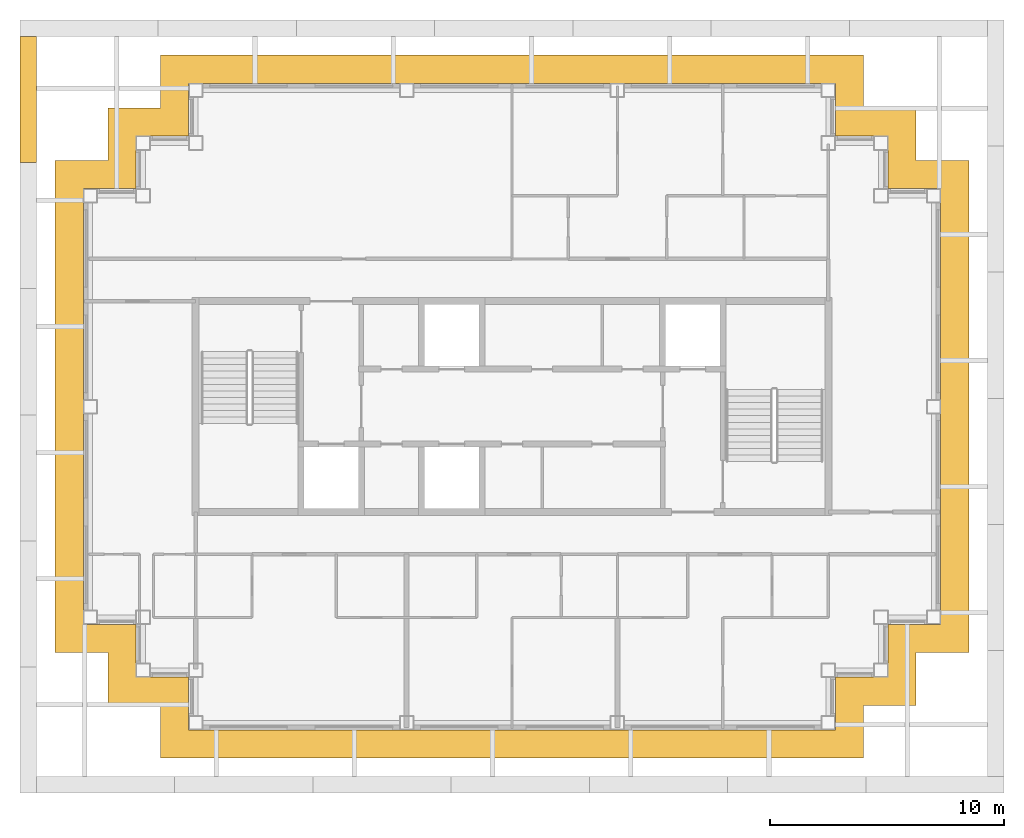
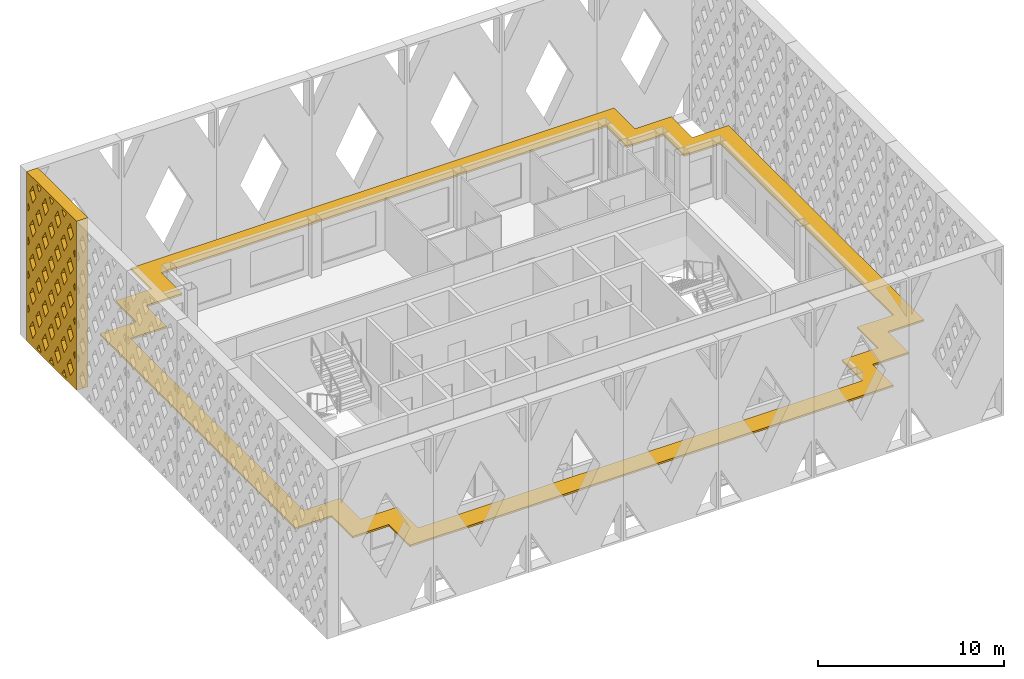
# One storey, part 11 of 13: 2 shading devices.
"""IFC4 building model written with IfcOpenShell, lengths in metres."""

from ifc_helpers import new_model, si_unit, direction, frame, origin, place, context, subcontext, project, spatial, polyline, outline, extrude, material, layer, layer_set, type_object, element, save


model = new_model("IFC4")

# Units and contexts
model_context = context("Model", 3, precision=1e-05, world=origin(), true_north=direction((0.0, 1.0)))
body_context = subcontext(model_context, "Body", "Model", "MODEL_VIEW")
ifc_project = project(units=[si_unit("LENGTHUNIT", "METRE"), si_unit("AREAUNIT", "SQUARE_METRE"), si_unit("VOLUMEUNIT", "CUBIC_METRE"), si_unit("PLANEANGLEUNIT", "RADIAN"), si_unit("MASSUNIT", "GRAM", prefix="KILO")], contexts=[model_context])

# Site, building, storey
site_placement = place(None, origin())
site = spatial("IfcSite", under=ifc_project, at=site_placement, CompositionType="ELEMENT")
building_placement = place(site_placement, origin())
building = spatial("IfcBuilding", under=site, at=building_placement, Name="Caravel Reach Hotel and Residences", CompositionType="ELEMENT")
storey_placement = place(building_placement, frame((0.0, 0.0, 294.5)))
storey = spatial("IfcBuildingStorey", under=building, at=storey_placement, Name="L75", CompositionType="ELEMENT", Elevation=294.5)

# Shading devices
ifc_material_1 = material(Name="Black powder-coated aluminium", Category="aluminium")
shading_device_type_1 = type_object("IfcShadingDeviceType", Name="Diamond lattice screen panel 5383 x 11100", PredefinedType="USERDEFINED", material=ifc_material_1)
shading_device_1_placement = place(storey_placement, frame((11.199951171875, 42.800048828125, 0.0), z_axis=(-1.0, 0.0, 0.0), x_axis=(0.0, -1.0, 0.0)))
element("IfcShadingDevice", 1, at=shading_device_1_placement, inside=storey, type_object=shading_device_type_1, Name="Lattice screen L75-L77 3.1", ObjectType="SCREEN", PredefinedType="USERDEFINED", context=body_context, shape_type="SweptSolid", body=[
    extrude(outline(polyline([(0.0, 0.0), (5.38330078125, 0.0), (5.38330078125, 11.10009765625), (0.0, 11.10009765625), (0.0, 0.0)]), holes=[polyline([(0.338134765625, 2.219970703125), (0.14990234375, 2.530517578125), (0.14990234375, 1.90966796875), (0.338134765625, 2.219970703125)]), polyline([(0.338134765625, 4.43994140625), (0.14990234375, 4.75048828125), (0.14990234375, 4.129638671875), (0.338134765625, 4.43994140625)]), polyline([(0.338134765625, 6.659912109375), (0.14990234375, 6.970458984375), (0.14990234375, 6.349609375), (0.338134765625, 6.659912109375)]), polyline([(0.338134765625, 8.8798828125), (0.14990234375, 9.1904296875), (0.14990234375, 8.569580078125), (0.338134765625, 8.8798828125)]), polyline([(0.6728515625, 1.667724609375), (0.334716796875, 1.110107421875), (0.6728515625, 0.55224609375), (1.010986328125, 1.110107421875), (0.6728515625, 1.667724609375)]), polyline([(0.6728515625, 3.887939453125), (0.334716796875, 3.330078125), (0.6728515625, 2.772216796875), (1.010986328125, 3.330078125), (0.6728515625, 3.887939453125)]), polyline([(0.6728515625, 6.10791015625), (0.334716796875, 5.550048828125), (0.6728515625, 4.9921875), (1.010986328125, 5.550048828125), (0.6728515625, 6.10791015625)]), polyline([(0.6728515625, 8.327880859375), (0.334716796875, 7.77001953125), (0.6728515625, 7.212158203125), (1.010986328125, 7.77001953125), (0.6728515625, 8.327880859375)]), polyline([(0.6728515625, 10.5478515625), (0.334716796875, 9.989990234375), (0.6728515625, 9.43212890625), (1.010986328125, 9.989990234375), (0.6728515625, 10.5478515625)]), polyline([(1.345947265625, 0.557861328125), (1.0986328125, 0.14990234375), (1.593017578125, 0.14990234375), (1.345947265625, 0.557861328125)]), polyline([(1.345947265625, 2.77783203125), (1.007568359375, 2.219970703125), (1.345947265625, 1.662109375), (1.68408203125, 2.219970703125), (1.345947265625, 2.77783203125)]), polyline([(1.345947265625, 4.997802734375), (1.007568359375, 4.43994140625), (1.345947265625, 3.882080078125), (1.68408203125, 4.43994140625), (1.345947265625, 4.997802734375)]), polyline([(1.345947265625, 7.2177734375), (1.007568359375, 6.659912109375), (1.345947265625, 6.10205078125), (1.68408203125, 6.659912109375), (1.345947265625, 7.2177734375)]), polyline([(1.345947265625, 9.437744140625), (1.007568359375, 8.8798828125), (1.345947265625, 8.322265625), (1.68408203125, 8.8798828125), (1.345947265625, 9.437744140625)]), polyline([(1.345947265625, 10.542236328125), (1.593017578125, 10.949951171875), (1.0986328125, 10.949951171875), (1.345947265625, 10.542236328125)]), polyline([(2.018798828125, 1.667724609375), (1.6806640625, 1.110107421875), (2.018798828125, 0.55224609375), (2.35693359375, 1.110107421875), (2.018798828125, 1.667724609375)]), polyline([(2.018798828125, 3.887939453125), (1.6806640625, 3.330078125), (2.018798828125, 2.772216796875), (2.35693359375, 3.330078125), (2.018798828125, 3.887939453125)]), polyline([(2.018798828125, 6.10791015625), (1.6806640625, 5.550048828125), (2.018798828125, 4.9921875), (2.35693359375, 5.550048828125), (2.018798828125, 6.10791015625)]), polyline([(2.018798828125, 8.327880859375), (1.6806640625, 7.77001953125), (2.018798828125, 7.212158203125), (2.35693359375, 7.77001953125), (2.018798828125, 8.327880859375)]), polyline([(2.018798828125, 10.5478515625), (1.6806640625, 9.989990234375), (2.018798828125, 9.43212890625), (2.35693359375, 9.989990234375), (2.018798828125, 10.5478515625)]), polyline([(2.691650390625, 0.557861328125), (2.4443359375, 0.14990234375), (2.93896484375, 0.14990234375), (2.691650390625, 0.557861328125)]), polyline([(2.691650390625, 2.77783203125), (2.353515625, 2.219970703125), (2.691650390625, 1.662109375), (3.02978515625, 2.219970703125), (2.691650390625, 2.77783203125)]), polyline([(2.691650390625, 4.997802734375), (2.353515625, 4.43994140625), (2.691650390625, 3.882080078125), (3.02978515625, 4.43994140625), (2.691650390625, 4.997802734375)]), polyline([(2.691650390625, 7.2177734375), (2.353515625, 6.659912109375), (2.691650390625, 6.10205078125), (3.02978515625, 6.659912109375), (2.691650390625, 7.2177734375)]), polyline([(2.691650390625, 9.437744140625), (2.353515625, 8.8798828125), (2.691650390625, 8.322265625), (3.02978515625, 8.8798828125), (2.691650390625, 9.437744140625)]), polyline([(2.691650390625, 10.542236328125), (2.93896484375, 10.949951171875), (2.4443359375, 10.949951171875), (2.691650390625, 10.542236328125)]), polyline([(3.364501953125, 1.667724609375), (3.0263671875, 1.110107421875), (3.364501953125, 0.55224609375), (3.702880859375, 1.110107421875), (3.364501953125, 1.667724609375)]), polyline([(3.364501953125, 3.887939453125), (3.0263671875, 3.330078125), (3.364501953125, 2.772216796875), (3.702880859375, 3.330078125), (3.364501953125, 3.887939453125)]), polyline([(3.364501953125, 6.10791015625), (3.0263671875, 5.550048828125), (3.364501953125, 4.9921875), (3.702880859375, 5.550048828125), (3.364501953125, 6.10791015625)]), polyline([(3.364501953125, 8.327880859375), (3.0263671875, 7.77001953125), (3.364501953125, 7.212158203125), (3.702880859375, 7.77001953125), (3.364501953125, 8.327880859375)]), polyline([(3.364501953125, 10.5478515625), (3.0263671875, 9.989990234375), (3.364501953125, 9.43212890625), (3.702880859375, 9.989990234375), (3.364501953125, 10.5478515625)]), polyline([(4.03759765625, 0.557861328125), (3.790283203125, 0.14990234375), (4.28466796875, 0.14990234375), (4.03759765625, 0.557861328125)]), polyline([(4.03759765625, 2.77783203125), (3.69921875, 2.219970703125), (4.03759765625, 1.662109375), (4.375732421875, 2.219970703125), (4.03759765625, 2.77783203125)]), polyline([(4.03759765625, 4.997802734375), (3.69921875, 4.43994140625), (4.03759765625, 3.882080078125), (4.375732421875, 4.43994140625), (4.03759765625, 4.997802734375)]), polyline([(4.03759765625, 7.2177734375), (3.69921875, 6.659912109375), (4.03759765625, 6.10205078125), (4.375732421875, 6.659912109375), (4.03759765625, 7.2177734375)]), polyline([(4.03759765625, 9.437744140625), (3.69921875, 8.8798828125), (4.03759765625, 8.322265625), (4.375732421875, 8.8798828125), (4.03759765625, 9.437744140625)]), polyline([(4.03759765625, 10.542236328125), (4.28466796875, 10.949951171875), (3.790283203125, 10.949951171875), (4.03759765625, 10.542236328125)]), polyline([(4.71044921875, 1.667724609375), (4.372314453125, 1.110107421875), (4.71044921875, 0.55224609375), (5.048583984375, 1.110107421875), (4.71044921875, 1.667724609375)]), polyline([(4.71044921875, 3.887939453125), (4.372314453125, 3.330078125), (4.71044921875, 2.772216796875), (5.048583984375, 3.330078125), (4.71044921875, 3.887939453125)]), polyline([(4.71044921875, 6.10791015625), (4.372314453125, 5.550048828125), (4.71044921875, 4.9921875), (5.048583984375, 5.550048828125), (4.71044921875, 6.10791015625)]), polyline([(4.71044921875, 8.327880859375), (4.372314453125, 7.77001953125), (4.71044921875, 7.212158203125), (5.048583984375, 7.77001953125), (4.71044921875, 8.327880859375)]), polyline([(4.71044921875, 10.5478515625), (4.372314453125, 9.989990234375), (4.71044921875, 9.43212890625), (5.048583984375, 9.989990234375), (4.71044921875, 10.5478515625)]), polyline([(5.045166015625, 2.219970703125), (5.2333984375, 1.90966796875), (5.2333984375, 2.530517578125), (5.045166015625, 2.219970703125)]), polyline([(5.045166015625, 4.43994140625), (5.2333984375, 4.129638671875), (5.2333984375, 4.75048828125), (5.045166015625, 4.43994140625)]), polyline([(5.045166015625, 6.659912109375), (5.2333984375, 6.349609375), (5.2333984375, 6.970458984375), (5.045166015625, 6.659912109375)]), polyline([(5.045166015625, 8.8798828125), (5.2333984375, 8.569580078125), (5.2333984375, 9.1904296875), (5.045166015625, 8.8798828125)])]), origin(), (0.0, 0.0, 1.0), 0.699951171875),
])
ifc_material_2 = material(Name="Black powder-coated aluminium", Category="aluminium")
ifc_layer = layer(ifc_material_2, 0.1201171875)
ifc_layer_set = layer_set([ifc_layer], Name="SS1 Sunshade band 1200")
shading_device_type_2 = type_object("IfcShadingDeviceType", Name="SS1 Sunshade band 1200", PredefinedType="USERDEFINED", material=ifc_layer_set)
shading_device_2_placement = place(storey_placement, frame((0.0, 0.0, 3.0400390625)))
element("IfcShadingDevice", 2, at=shading_device_2_placement, inside=storey, type_object=shading_device_type_2, Name="Sunshade L75 1", ObjectType="SUNSHADE", PredefinedType="USERDEFINED", context=body_context, shape_type="SweptSolid", body=[
    extrude(outline(polyline([(16.5, 12.0), (46.5, 12.0), (46.5, 14.25), (48.75, 14.25), (48.75, 16.5), (51.0, 16.5), (51.0, 37.5), (48.75, 37.5), (48.75, 39.75), (46.5, 39.75), (46.5, 42.0), (16.5, 42.0), (16.5, 39.75), (14.25, 39.75), (14.25, 37.5), (12.0, 37.5), (12.0, 16.5), (14.25, 16.5), (14.25, 14.25), (16.5, 14.25), (16.5, 12.0)]), holes=[polyline([(45.300048828125, 15.449951171875), (45.300048828125, 13.199951171875), (17.699951171875, 13.199951171875), (17.699951171875, 15.449951171875), (15.449951171875, 15.449951171875), (15.449951171875, 17.699951171875), (13.199951171875, 17.699951171875), (13.199951171875, 36.300048828125), (15.449951171875, 36.300048828125), (15.449951171875, 38.550048828125), (17.699951171875, 38.550048828125), (17.699951171875, 40.800048828125), (45.300048828125, 40.800048828125), (45.300048828125, 38.550048828125), (47.550048828125, 38.550048828125), (47.550048828125, 36.300048828125), (49.800048828125, 36.300048828125), (49.800048828125, 17.699951171875), (47.550048828125, 17.699951171875), (47.550048828125, 15.449951171875), (45.300048828125, 15.449951171875)])]), origin(), (0.0, 0.0, 1.0), 0.119873046875),
])

save(model, "model.ifc")
